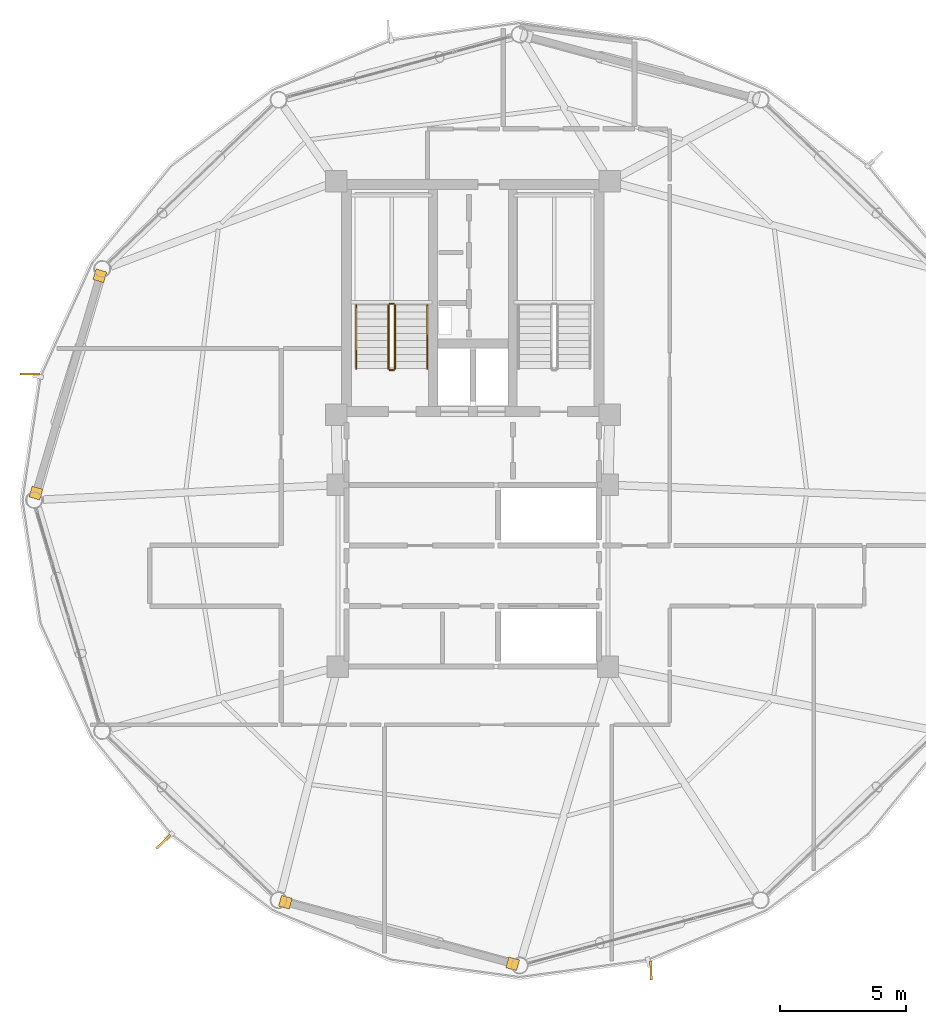
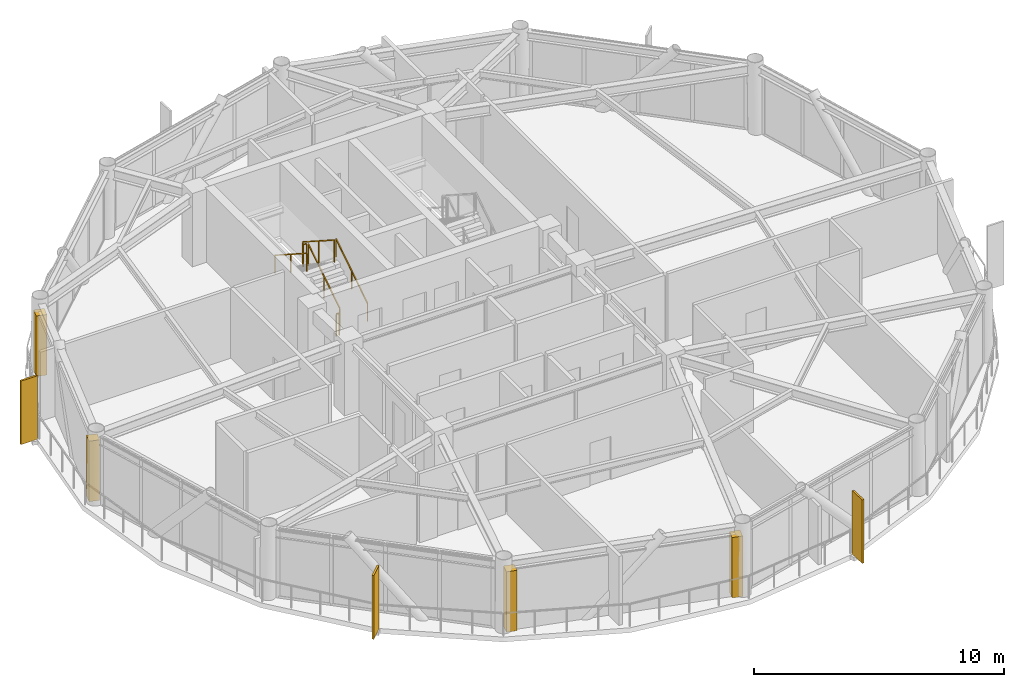
# One storey, part 26 of 28: 6 railings, 4 coverings, 3 shading devices.
"""IFC4 building model written with IfcOpenShell, lengths in metres."""

from ifc_helpers import new_model, si_unit, direction, frame, origin, origin_2d, place, context, subcontext, project, spatial, rectangle, extrude, source, transform, mapped, material, layer, layer_set, type_object, type_shapes, element, save


model = new_model("IFC4")

# Units and contexts
model_context = context("Model", 3, precision=1e-05, world=origin(), true_north=direction((0.0, 1.0)))
body_context = subcontext(model_context, "Body", "Model", "MODEL_VIEW")
ifc_project = project(units=[si_unit("LENGTHUNIT", "METRE"), si_unit("AREAUNIT", "SQUARE_METRE"), si_unit("VOLUMEUNIT", "CUBIC_METRE"), si_unit("PLANEANGLEUNIT", "RADIAN"), si_unit("MASSUNIT", "GRAM", prefix="KILO")], contexts=[model_context])

# Site, building, storey
site_placement = place(None, origin())
site = spatial("IfcSite", under=ifc_project, at=site_placement, CompositionType="ELEMENT")
building_placement = place(site_placement, origin())
building = spatial("IfcBuilding", under=site, at=building_placement, Name="Varnakorn Sky Granary", CompositionType="ELEMENT")
storey_placement = place(building_placement, frame((0.0, 0.0, 207.60009765625)))
storey = spatial("IfcBuildingStorey", under=building, at=storey_placement, Name="L52", CompositionType="ELEMENT", Elevation=207.60009765625)

# Railings
ifc_material_1 = material(Name="Brushed Stainless Steel 316", Category="steel")
railing_type_1 = type_object("IfcRailingType", Name="RL-STAIR-1100", PredefinedType="GUARDRAIL", material=ifc_material_1)
railing_1_placement = place(storey_placement, frame((-0.090087890625, 5.199951171875, 0.179931640625)))
element("IfcRailing", 1, at=railing_1_placement, inside=storey, type_object=railing_type_1, Name="L52 ST-1 stair guard 1", PredefinedType="GUARDRAIL", context=body_context, shape_type="SweptSolid", body=[
    extrude(rectangle(XDim=0.048095703125, YDim=0.048095703125, at=origin_2d()), frame((0.0, 0.0, 1.076171875), z_axis=(0.0, 0.841199657755, 0.540724639528), x_axis=(-1.0, 0.0, 0.0)), (0.0, 0.0, 1.0), 2.995849609375),
    extrude(rectangle(XDim=0.0419921875, YDim=0.0419921875, at=origin_2d()), origin(), (0.0, 0.0, 1.0), 1.048095703125),
    extrude(rectangle(XDim=0.0419921875, YDim=0.0419921875, at=origin_2d()), frame((0.0, 1.260009765625, 0.81005859375)), (0.0, 0.0, 1.0), 1.048095703125),
    extrude(rectangle(XDim=0.0419921875, YDim=0.0419921875, at=origin_2d()), frame((0.0, 2.52001953125, 1.619873046875)), (0.0, 0.0, 1.0), 1.048095703125),
])
railing_2_placement = place(storey_placement, frame((-0.139892578125, 7.77001953125, 1.7998046875)))
element("IfcRailing", 2, at=railing_2_placement, inside=storey, type_object=railing_type_1, Name="L52 ST-1 stair guard 2", PredefinedType="GUARDRAIL", context=body_context, shape_type="SweptSolid", body=[
    extrude(rectangle(XDim=0.048095703125, YDim=0.048095703125, at=origin_2d()), frame((0.0, 0.0, 1.076171875), z_axis=(-1.0, 0.0, 0.0), x_axis=(0.0, -1.0, 0.0)), (0.0, 0.0, 1.0), 0.150146484375),
    extrude(rectangle(XDim=0.0419921875, YDim=0.0419921875, at=origin_2d()), origin(), (0.0, 0.0, 1.0), 1.048095703125),
    extrude(rectangle(XDim=0.0419921875, YDim=0.0419921875, at=origin_2d()), frame((-0.150146484375, 0.0, 0.0)), (0.0, 0.0, 1.0), 1.048095703125),
])
railing_3_placement = place(storey_placement, frame((-0.340087890625, 7.719970703125, 1.97998046875)))
element("IfcRailing", 3, at=railing_3_placement, inside=storey, type_object=railing_type_1, Name="L52 ST-1 stair guard 3", PredefinedType="GUARDRAIL", context=body_context, shape_type="SweptSolid", body=[
    extrude(rectangle(XDim=0.048095703125, YDim=0.048095703125, at=origin_2d()), frame((0.0, 0.0, 1.076171875), z_axis=(0.0, -0.841199657755, 0.540724639528), x_axis=(1.0, 0.0, 0.0)), (0.0, 0.0, 1.0), 2.995849609375),
    extrude(rectangle(XDim=0.0419921875, YDim=0.0419921875, at=origin_2d()), origin(), (0.0, 0.0, 1.0), 1.048095703125),
    extrude(rectangle(XDim=0.0419921875, YDim=0.0419921875, at=origin_2d()), frame((0.0, -1.260009765625, 0.81005859375)), (0.0, 0.0, 1.0), 1.048095703125),
    extrude(rectangle(XDim=0.0419921875, YDim=0.0419921875, at=origin_2d()), frame((0.0, -2.52001953125, 1.619873046875)), (0.0, 0.0, 1.0), 1.048095703125),
])
railing_4_placement = place(storey_placement, frame((-0.139892578125, 5.14990234375, 0.0)))
element("IfcRailing", 4, at=railing_4_placement, inside=storey, type_object=railing_type_1, Name="L52 ST-1 stair guard 4", PredefinedType="GUARDRAIL", context=body_context, shape_type="SweptSolid", body=[
    extrude(rectangle(XDim=0.048095703125, YDim=0.048095703125, at=origin_2d()), frame((0.0, 0.0, 1.076171875), z_axis=(-1.0, 0.0, 0.0), x_axis=(0.0, -1.0, 0.0)), (0.0, 0.0, 1.0), 0.150146484375),
    extrude(rectangle(XDim=0.0419921875, YDim=0.0419921875, at=origin_2d()), origin(), (0.0, 0.0, 1.0), 1.048095703125),
    extrude(rectangle(XDim=0.0419921875, YDim=0.0419921875, at=origin_2d()), frame((-0.150146484375, 0.0, 0.0)), (0.0, 0.0, 1.0), 1.048095703125),
])
railing_type_2 = type_object("IfcRailingType", Name="RL-STAIR-920", PredefinedType="HANDRAIL", material=ifc_material_1)
railing_5_placement = place(storey_placement, frame((1.18994140625, 5.199951171875, 0.179931640625)))
element("IfcRailing", 5, at=railing_5_placement, inside=storey, type_object=railing_type_2, Name="L52 ST-1 stair handrail 1", PredefinedType="HANDRAIL", context=body_context, shape_type="SweptSolid", body=[
    extrude(rectangle(XDim=0.048095703125, YDim=0.048095703125, at=origin_2d()), frame((0.0, 0.0, 0.8759765625), z_axis=(0.0, 0.841199657755, 0.540724639528), x_axis=(-1.0, 0.0, 0.0)), (0.0, 0.0, 1.0), 2.995849609375),
    extrude(rectangle(XDim=0.0419921875, YDim=0.0419921875, at=origin_2d()), origin(), (0.0, 0.0, 1.0), 0.847900390625),
    extrude(rectangle(XDim=0.0419921875, YDim=0.0419921875, at=origin_2d()), frame((0.0, 1.260009765625, 0.81005859375)), (0.0, 0.0, 1.0), 0.847900390625),
    extrude(rectangle(XDim=0.0419921875, YDim=0.0419921875, at=origin_2d()), frame((0.0, 2.52001953125, 1.619873046875)), (0.0, 0.0, 1.0), 0.847900390625),
])
railing_6_placement = place(storey_placement, frame((-1.6201171875, 7.719970703125, 1.97998046875)))
element("IfcRailing", 6, at=railing_6_placement, inside=storey, type_object=railing_type_2, Name="L52 ST-1 stair handrail 2", PredefinedType="HANDRAIL", context=body_context, shape_type="SweptSolid", body=[
    extrude(rectangle(XDim=0.048095703125, YDim=0.048095703125, at=origin_2d()), frame((0.0, 0.0, 0.8759765625), z_axis=(0.0, -0.841199657755, 0.540724639528), x_axis=(1.0, 0.0, 0.0)), (0.0, 0.0, 1.0), 2.995849609375),
    extrude(rectangle(XDim=0.0419921875, YDim=0.0419921875, at=origin_2d()), origin(), (0.0, 0.0, 1.0), 0.847900390625),
    extrude(rectangle(XDim=0.0419921875, YDim=0.0419921875, at=origin_2d()), frame((0.0, -1.260009765625, 0.81005859375)), (0.0, 0.0, 1.0), 0.847900390625),
    extrude(rectangle(XDim=0.0419921875, YDim=0.0419921875, at=origin_2d()), frame((0.0, -2.52001953125, 1.619873046875)), (0.0, 0.0, 1.0), 0.847900390625),
])

# Coverings
ifc_material_2 = material(Name="Anodised Bronze Aluminium Alloy 6063-T6", Category="aluminium")
ifc_layer = layer(ifc_material_2, 0.050048828125, Name="Anodised Bronze Aluminium Alloy 6063-T6")
ifc_layer_set = layer_set([ifc_layer], Name="Anodised Bronze Aluminium Alloy 6063-T6")
covering_type = type_object("IfcCoveringType", Name="CV-CLAD-50", PredefinedType="CLADDING", material=ifc_layer_set)
shared_shape_1 = source(origin(), body_context, "Body", "SweptSolid", [
    extrude(rectangle(XDim=0.43994140625, YDim=0.43994140625, at=origin_2d()), origin(), (0.0, 0.0, 1.0), 2.949951171875),
])
type_shapes(covering_type, [shared_shape_1])
for number, where, z_axis, x_axis, name in (
    (7, (-14.3095703125, 0.2734375, -0.02001953125), (0.0, 0.0, 1.0), (0.282341456843, 0.95931397454, 0.0), "Bronze Corner Pilaster Closure L52-P06-A"),
    (8, (-11.77587890625, 8.881591796875, -0.02001953125), (0.0, 0.0, 1.0), (0.282341456843, 0.95931397454, 0.0), "Bronze Corner Pilaster Closure L52-P06-B"),
    (9, (4.574951171875, -18.37060546875, -0.02001953125), (0.0, 0.0, 1.0), (-0.965199301866, 0.261515406195, 0.0), "Bronze Corner Pilaster Closure L52-P09-A"),
    (10, (-4.427490234375, -15.931396484375, -0.02001953125), (0.0, 0.0, 1.0), (-0.965199301866, 0.261515406195, 0.0), "Bronze Corner Pilaster Closure L52-P09-B"),
):
    element("IfcCovering", number, at=place(storey_placement, frame(where, z_axis=z_axis, x_axis=x_axis)), inside=storey, type_object=covering_type, Name=name, PredefinedType="CLADDING", context=body_context, shape_type="MappedRepresentation", body=[
        mapped(shared_shape_1, transform((0.0, 0.0, 0.0), x_axis=(1.0, 0.0, 0.0), y_axis=(0.0, 1.0, 0.0), z_axis=(0.0, 0.0, 1.0), scale=1.0)),
    ])

# Shading devices
shading_device_type = type_object("IfcShadingDeviceType", Name="SH-FIN-03", PredefinedType="USERDEFINED", material=ifc_material_2)
shared_shape_2 = source(origin(), body_context, "Body", "SweptSolid", [
    extrude(rectangle(XDim=0.0849609375, YDim=0.760009765625, at=origin_2d()), origin(), (0.0, 0.0, 1.0), 3.10009765625),
])
type_shapes(shading_device_type, [shared_shape_2])
for number, where, z_axis, x_axis, name in (
    (11, (-14.5517578125, 4.988037109375, -0.0400390625), (0.0, 0.0, 1.0), (-0.007021445275, -0.999975349349, 0.0), "Bronze Solar-Tracking Vertical Blade FIN L52-06"),
    (12, (-9.263427734375, -13.537841796875, -0.0400390625), (0.0, 0.0, 1.0), (0.700576569586, -0.713577234886, 0.0), "Bronze Solar-Tracking Vertical Blade FIN L52-08"),
    (13, (10.052978515625, -18.63134765625, -0.0400390625), (0.0, 0.0, 1.0), (0.999439769415, 0.033468601891, 0.0), "Bronze Solar-Tracking Vertical Blade FIN L52-10"),
):
    element("IfcShadingDevice", number, at=place(storey_placement, frame(where, z_axis=z_axis, x_axis=x_axis)), inside=storey, type_object=shading_device_type, Name=name, ObjectType="FIN", PredefinedType="USERDEFINED", context=body_context, shape_type="MappedRepresentation", body=[
        mapped(shared_shape_2, transform((0.0, 0.0, 0.0), x_axis=(1.0, 0.0, 0.0), y_axis=(0.0, 1.0, 0.0), z_axis=(0.0, 0.0, 1.0), scale=1.0)),
    ])

save(model, "model.ifc")
